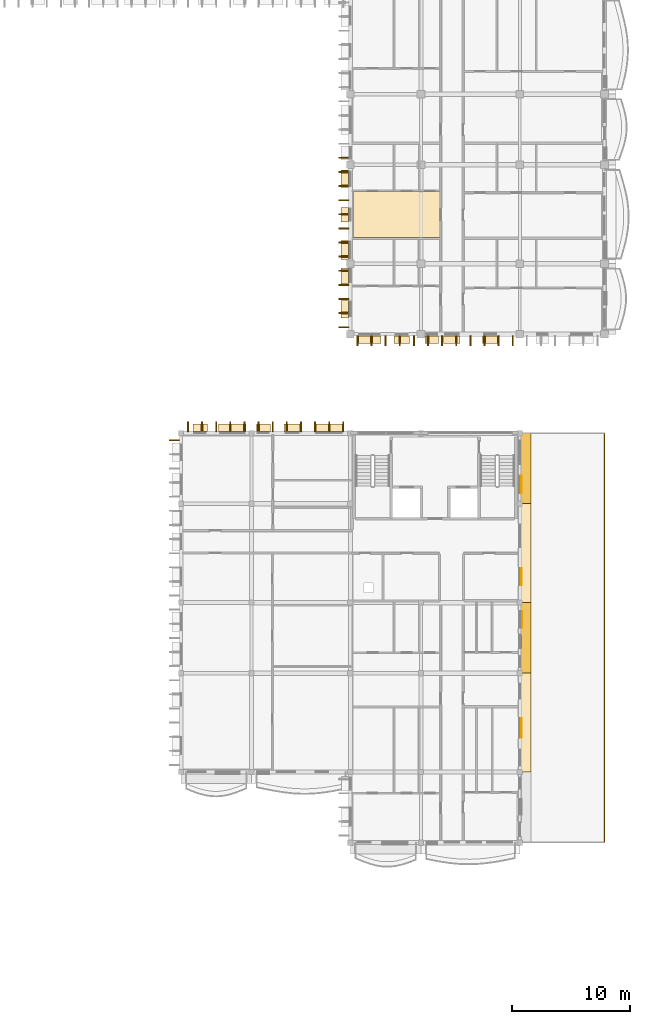
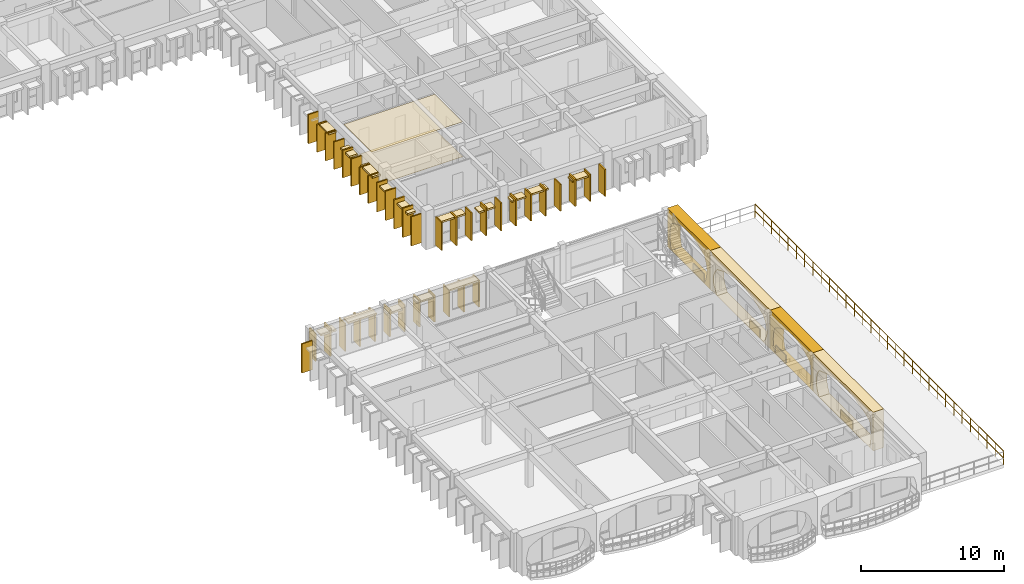
# One storey, part 60 of 66: 63 coverings, 1 railing.
"""IFC4 building model written with IfcOpenShell, lengths in metres."""

from ifc_helpers import new_model, si_unit, direction, frame, origin, origin_2d, place, context, subcontext, project, spatial, polyline, rectangle, outline, extrude, material, layer, layer_set, type_object, element, save


model = new_model("IFC4")

# Units and contexts
model_context = context("Model", 3, precision=1e-05, world=origin(), true_north=direction((0.0, 1.0)))
body_context = subcontext(model_context, "Body", "Model", "MODEL_VIEW")
ifc_project = project(units=[si_unit("LENGTHUNIT", "METRE"), si_unit("AREAUNIT", "SQUARE_METRE"), si_unit("VOLUMEUNIT", "CUBIC_METRE"), si_unit("PLANEANGLEUNIT", "RADIAN"), si_unit("MASSUNIT", "GRAM", prefix="KILO"), si_unit("THERMODYNAMICTEMPERATUREUNIT", "KELVIN")], contexts=[model_context])

# Site, building, storey
site_placement = place(None, origin())
site = spatial("IfcSite", under=ifc_project, at=site_placement, CompositionType="ELEMENT")
building_placement = place(site_placement, origin())
building = spatial("IfcBuilding", under=site, at=building_placement, Name="Thalorik Housing Commons", CompositionType="ELEMENT")
storey_placement = place(building_placement, frame((0.0, 0.0, 21.300048828125)))
storey = spatial("IfcBuildingStorey", under=building, at=storey_placement, Name="L06", CompositionType="ELEMENT", Elevation=21.300048828125)

# Coverings
ifc_material_1 = material(Name="Cobalt blue glazed ceramic facade tile panel", Category="masonry")
ifc_layer_1 = layer(ifc_material_1, 0.06005859375, Name="Cobalt blue glazed ceramic facade tile panel", Category="masonry")
ifc_layer_set_1 = layer_set([ifc_layer_1], Name="Cobalt blue glazed ceramic facade tile panel")
covering_type_1 = type_object("IfcCoveringType", Name="ARC-CLD-BLU-60", PredefinedType="CLADDING", material=ifc_layer_set_1)
covering_1_placement = place(storey_placement, frame((166.95751953125, 46.945068359375, 0.0498046875), z_axis=(0.0, 0.0, 1.0), x_axis=(0.0, 1.0, 0.0)))
element("IfcCovering", 1, at=covering_1_placement, inside=storey, type_object=covering_type_1, Name="L06 De Stijl Recessed Window Spandrel 4979", PredefinedType="CLADDING", context=body_context, shape_type="SweptSolid", body=[
    extrude(rectangle(XDim=1.679931640625, YDim=0.06005859375, at=origin_2d()), origin(), (0.0, 0.0, 1.0), 0.699951171875),
])
covering_2_placement = place(storey_placement, frame((166.95751953125, 67.6298828125, 0.0498046875), z_axis=(0.0, 0.0, 1.0), x_axis=(0.0, 1.0, 0.0)))
element("IfcCovering", 2, at=covering_2_placement, inside=storey, type_object=covering_type_1, Name="L06 De Stijl Recessed Window Spandrel 4985", PredefinedType="CLADDING", context=body_context, shape_type="SweptSolid", body=[
    extrude(rectangle(XDim=1.5, YDim=0.06005859375, at=origin_2d()), origin(), (0.0, 0.0, 1.0), 0.699951171875),
])
ifc_material_2 = material(Name="Precast concrete C40/50", Category="concrete")
ifc_layer_2 = layer(ifc_material_2, 0.85009765625, Name="Precast concrete C40/50", Category="concrete")
ifc_layer_set_2 = layer_set([ifc_layer_2], Name="Precast concrete C40/50")
covering_type_2 = type_object("IfcCoveringType", Name="ARC-CLD-CUSH-850", PredefinedType="CLADDING", material=ifc_layer_set_2)
covering_3_placement = place(storey_placement, frame((167.347412109375, 47.39990234375, 0.0), z_axis=(0.0, 0.0, 1.0), x_axis=(0.0, 1.0, 0.0)))
element("IfcCovering", 3, at=covering_3_placement, inside=storey, type_object=covering_type_2, Name="L06 White Precast Curved Cushion Bay Frame 4978", PredefinedType="CLADDING", context=body_context, shape_type="SweptSolid", body=[
    extrude(outline(polyline([(-4.199951171875, 0.0), (4.199951171875, 0.0), (4.199951171875, 3.300048828125), (-4.199951171875, 3.300048828125), (-4.199951171875, 0.0)]), holes=[polyline([(3.3701171875, 0.02490234375), (3.5810546875, 0.40087890625), (3.707763671875, 0.776611328125), (3.75, 1.152587890625), (3.707763671875, 1.5283203125), (3.5810546875, 1.904296875), (3.3701171875, 2.280029296875), (2.780029296875, 2.51123046875), (2.18994140625, 2.693115234375), (1.60009765625, 2.840087890625), (1.010009765625, 2.94970703125), (0.419921875, 3.01708984375), (-0.169921875, 3.0400390625), (-0.760009765625, 3.01708984375), (-1.35009765625, 2.94970703125), (-1.93994140625, 2.840087890625), (-2.530029296875, 2.693115234375), (-3.1201171875, 2.51123046875), (-3.7099609375, 2.280029296875), (-3.8134765625, 1.904296875), (-3.87548828125, 1.5283203125), (-3.896240234375, 1.152587890625), (-3.87548828125, 0.776611328125), (-3.8134765625, 0.40087890625), (-3.7099609375, 0.02490234375), (3.3701171875, 0.02490234375)])]), frame((0.0, 0.425048828125, 0.0), z_axis=(0.0, -1.0, 0.0), x_axis=(1.0, 0.0, 0.0)), (0.0, 0.0, 1.0), 0.85009765625),
])
covering_4_placement = place(storey_placement, frame((167.347412109375, 54.60009765625, 0.0), z_axis=(0.0, 0.0, 1.0), x_axis=(0.0, 1.0, 0.0)))
element("IfcCovering", 4, at=covering_4_placement, inside=storey, type_object=covering_type_2, Name="L06 White Precast Curved Cushion Bay Frame 4980", PredefinedType="CLADDING", context=body_context, shape_type="SweptSolid", body=[
    extrude(outline(polyline([(-3.0, 0.0), (3.0, 0.0), (3.0, 3.300048828125), (-3.0, 3.300048828125), (-3.0, 0.0)]), holes=[polyline([(2.327392578125, 0.02490234375), (2.469482421875, 0.387451171875), (2.5546875, 0.75), (2.5830078125, 1.112548828125), (2.5546875, 1.47509765625), (2.469482421875, 1.83740234375), (2.327392578125, 2.199951171875), (1.920654296875, 2.455810546875), (1.51416015625, 2.656494140625), (1.107421875, 2.819091796875), (0.70068359375, 2.940185546875), (0.294189453125, 3.014892578125), (-0.112548828125, 3.0400390625), (-0.519287109375, 3.014892578125), (-0.92578125, 2.940185546875), (-1.33251953125, 2.819091796875), (-1.7392578125, 2.656494140625), (-2.14599609375, 2.455810546875), (-2.552490234375, 2.199951171875), (-2.647216796875, 1.83740234375), (-2.70361328125, 1.47509765625), (-2.72265625, 1.112548828125), (-2.70361328125, 0.75), (-2.647216796875, 0.387451171875), (-2.552490234375, 0.02490234375), (2.327392578125, 0.02490234375)])]), frame((0.0, 0.425048828125, 0.0), z_axis=(0.0, -1.0, 0.0), x_axis=(1.0, 0.0, 0.0)), (0.0, 0.0, 1.0), 0.85009765625),
])
covering_5_placement = place(storey_placement, frame((167.347412109375, 61.800048828125, 0.0), z_axis=(0.0, 0.0, 1.0), x_axis=(0.0, 1.0, 0.0)))
element("IfcCovering", 5, at=covering_5_placement, inside=storey, type_object=covering_type_2, Name="L06 White Precast Curved Cushion Bay Frame 4982", PredefinedType="CLADDING", context=body_context, shape_type="SweptSolid", body=[
    extrude(outline(polyline([(-4.199951171875, 0.0), (4.199951171875, 0.0), (4.199951171875, 3.300048828125), (-4.199951171875, 3.300048828125), (-4.199951171875, 0.0)]), holes=[polyline([(3.239990234375, 0.02490234375), (3.523193359375, 0.3974609375), (3.693359375, 0.77001953125), (3.75, 1.142578125), (3.693359375, 1.514892578125), (3.523193359375, 1.887451171875), (3.239990234375, 2.260009765625), (2.699951171875, 2.497314453125), (2.159912109375, 2.683837890625), (1.6201171875, 2.8349609375), (1.080078125, 2.947265625), (0.5400390625, 3.0166015625), (0.0, 3.0400390625), (-0.5400390625, 3.0166015625), (-1.080078125, 2.947265625), (-1.6201171875, 2.8349609375), (-2.159912109375, 2.683837890625), (-2.699951171875, 2.497314453125), (-3.239990234375, 2.260009765625), (-3.523193359375, 1.887451171875), (-3.693359375, 1.514892578125), (-3.75, 1.142578125), (-3.693359375, 0.77001953125), (-3.523193359375, 0.3974609375), (-3.239990234375, 0.02490234375), (3.239990234375, 0.02490234375)])]), frame((0.0, 0.425048828125, 0.0), z_axis=(0.0, -1.0, 0.0), x_axis=(1.0, 0.0, 0.0)), (0.0, 0.0, 1.0), 0.85009765625),
])
covering_6_placement = place(storey_placement, frame((167.347412109375, 69.0, 0.0), z_axis=(0.0, 0.0, 1.0), x_axis=(0.0, 1.0, 0.0)))
element("IfcCovering", 6, at=covering_6_placement, inside=storey, type_object=covering_type_2, Name="L06 White Precast Curved Cushion Bay Frame 4984", PredefinedType="CLADDING", context=body_context, shape_type="SweptSolid", body=[
    extrude(outline(polyline([(-3.0, 0.0), (3.0, 0.0), (3.0, 3.300048828125), (-3.0, 3.300048828125), (-3.0, 0.0)]), holes=[polyline([(2.419921875, 0.02490234375), (2.54248046875, 0.407470703125), (2.615966796875, 0.7900390625), (2.640380859375, 1.172607421875), (2.615966796875, 1.554931640625), (2.54248046875, 1.9375), (2.419921875, 2.320068359375), (2.03759765625, 2.539306640625), (1.655029296875, 2.711181640625), (1.2724609375, 2.8505859375), (0.889892578125, 2.954345703125), (0.507568359375, 3.018310546875), (0.125, 3.0400390625), (-0.257568359375, 3.018310546875), (-0.639892578125, 2.954345703125), (-1.0224609375, 2.8505859375), (-1.405029296875, 2.711181640625), (-1.78759765625, 2.539306640625), (-2.169921875, 2.320068359375), (-2.381103515625, 1.9375), (-2.5078125, 1.554931640625), (-2.550048828125, 1.172607421875), (-2.5078125, 0.7900390625), (-2.381103515625, 0.407470703125), (-2.169921875, 0.02490234375), (2.419921875, 0.02490234375)])]), frame((0.0, 0.425048828125, 0.0), z_axis=(0.0, -1.0, 0.0), x_axis=(1.0, 0.0, 0.0)), (0.0, 0.0, 1.0), 0.85009765625),
])
ifc_layer_3 = layer(ifc_material_2, 0.85009765625, Name="Precast concrete C40/50", Category="concrete")
ifc_layer_set_3 = layer_set([ifc_layer_3], Name="Precast concrete C40/50")
covering_type_3 = type_object("IfcCoveringType", Name="ARC-CLD-FIN-850", PredefinedType="CLADDING", material=ifc_layer_set_3)
covering_7_placement = place(storey_placement, frame((151.83740234375, 95.39990234375, 0.039794921875), z_axis=(0.0, 0.0, 1.0), x_axis=(0.0, -1.0, 0.0)))
element("IfcCovering", 7, at=covering_7_placement, inside=storey, type_object=covering_type_3, Name="L06 Courtyard Precast Vertical Brise-Soleil Fin 2502", PredefinedType="CLADDING", context=body_context, shape_type="SweptSolid", body=[
    extrude(rectangle(XDim=0.110107421875, YDim=0.85009765625, at=origin_2d()), origin(), (0.0, 0.0, 1.0), 2.4951171875),
])
for number, where, z_axis, x_axis, name in (
    (8, (151.83740234375, 94.199951171875, 0.0400390625), (0.0, 0.0, 1.0), (0.0, -1.0, 0.0), "L06 Courtyard Precast Vertical Brise-Soleil Fin 2505"),
    (9, (151.83740234375, 93.0, 0.0400390625), (0.0, 0.0, 1.0), (0.0, -1.0, 0.0), "L06 Courtyard Precast Vertical Brise-Soleil Fin 2506"),
    (10, (151.83740234375, 91.800048828125, 0.0400390625), (0.0, 0.0, 1.0), (0.0, -1.0, 0.0), "L06 Courtyard Precast Vertical Brise-Soleil Fin 2507"),
    (11, (151.83740234375, 90.60009765625, 0.0400390625), (0.0, 0.0, 1.0), (0.0, -1.0, 0.0), "L06 Courtyard Precast Vertical Brise-Soleil Fin 2508"),
    (12, (151.83740234375, 89.39990234375, 0.0400390625), (0.0, 0.0, 1.0), (0.0, -1.0, 0.0), "L06 Courtyard Precast Vertical Brise-Soleil Fin 2509"),
    (13, (151.83740234375, 88.199951171875, 0.0400390625), (0.0, 0.0, 1.0), (0.0, -1.0, 0.0), "L06 Courtyard Precast Vertical Brise-Soleil Fin 2510"),
    (14, (151.83740234375, 87.0, 0.0400390625), (0.0, 0.0, 1.0), (0.0, -1.0, 0.0), "L06 Courtyard Precast Vertical Brise-Soleil Fin 2511"),
):
    element("IfcCovering", number, at=place(storey_placement, frame(where, z_axis=z_axis, x_axis=x_axis)), inside=storey, type_object=covering_type_3, Name=name, PredefinedType="CLADDING", context=body_context, shape_type="SweptSolid", body=[
        extrude(rectangle(XDim=0.110107421875, YDim=0.85009765625, at=origin_2d()), origin(), (0.0, 0.0, 1.0), 2.344970703125),
    ])
for number, where, z_axis, x_axis, name in (
    (15, (151.83740234375, 85.800048828125, 0.039794921875), (0.0, 0.0, 1.0), (0.0, -1.0, 0.0), "L06 Courtyard Precast Vertical Brise-Soleil Fin 2515"),
    (16, (151.83740234375, 84.60009765625, 0.039794921875), (0.0, 0.0, 1.0), (0.0, -1.0, 0.0), "L06 Courtyard Precast Vertical Brise-Soleil Fin 2516"),
    (17, (151.83740234375, 83.39990234375, 0.039794921875), (0.0, 0.0, 1.0), (0.0, -1.0, 0.0), "L06 Courtyard Precast Vertical Brise-Soleil Fin 2517"),
    (18, (151.83740234375, 82.199951171875, 0.039794921875), (0.0, 0.0, 1.0), (0.0, -1.0, 0.0), "L06 Courtyard Precast Vertical Brise-Soleil Fin 2518"),
    (19, (151.83740234375, 81.0, 0.039794921875), (0.0, 0.0, 1.0), (0.0, -1.0, 0.0), "L06 Courtyard Precast Vertical Brise-Soleil Fin 2519"),
):
    element("IfcCovering", number, at=place(storey_placement, frame(where, z_axis=z_axis, x_axis=x_axis)), inside=storey, type_object=covering_type_3, Name=name, PredefinedType="CLADDING", context=body_context, shape_type="SweptSolid", body=[
        extrude(rectangle(XDim=0.110107421875, YDim=0.85009765625, at=origin_2d()), origin(), (0.0, 0.0, 1.0), 2.4951171875),
    ])
for number, where, z_axis, x_axis, name in (
    (20, (153.0, 79.83740234375, 0.0400390625), (0.0, 0.0, 1.0), (1.0, 0.0, 0.0), "L06 Courtyard Precast Vertical Brise-Soleil Fin 2522"),
    (21, (154.199951171875, 79.83740234375, 0.0400390625), (0.0, 0.0, 1.0), (1.0, 0.0, 0.0), "L06 Courtyard Precast Vertical Brise-Soleil Fin 2523"),
    (22, (155.39990234375, 79.83740234375, 0.0400390625), (0.0, 0.0, 1.0), (1.0, 0.0, 0.0), "L06 Courtyard Precast Vertical Brise-Soleil Fin 2524"),
    (23, (156.60009765625, 79.83740234375, 0.0400390625), (0.0, 0.0, 1.0), (1.0, 0.0, 0.0), "L06 Courtyard Precast Vertical Brise-Soleil Fin 2525"),
    (24, (157.800048828125, 79.83740234375, 0.0400390625), (0.0, 0.0, 1.0), (1.0, 0.0, 0.0), "L06 Courtyard Precast Vertical Brise-Soleil Fin 2526"),
):
    element("IfcCovering", number, at=place(storey_placement, frame(where, z_axis=z_axis, x_axis=x_axis)), inside=storey, type_object=covering_type_3, Name=name, PredefinedType="CLADDING", context=body_context, shape_type="SweptSolid", body=[
        extrude(rectangle(XDim=0.110107421875, YDim=0.85009765625, at=origin_2d()), origin(), (0.0, 0.0, 1.0), 2.39501953125),
    ])
for number, where, z_axis, x_axis, name in (
    (25, (159.0, 79.83740234375, 0.0400390625), (0.0, 0.0, 1.0), (1.0, 0.0, 0.0), "L06 Courtyard Precast Vertical Brise-Soleil Fin 2529"),
    (26, (160.199951171875, 79.83740234375, 0.0400390625), (0.0, 0.0, 1.0), (1.0, 0.0, 0.0), "L06 Courtyard Precast Vertical Brise-Soleil Fin 2530"),
    (27, (161.39990234375, 79.83740234375, 0.0400390625), (0.0, 0.0, 1.0), (1.0, 0.0, 0.0), "L06 Courtyard Precast Vertical Brise-Soleil Fin 2531"),
    (28, (162.60009765625, 79.83740234375, 0.0400390625), (0.0, 0.0, 1.0), (1.0, 0.0, 0.0), "L06 Courtyard Precast Vertical Brise-Soleil Fin 2532"),
    (29, (163.800048828125, 79.83740234375, 0.0400390625), (0.0, 0.0, 1.0), (1.0, 0.0, 0.0), "L06 Courtyard Precast Vertical Brise-Soleil Fin 2533"),
    (30, (165.0, 79.83740234375, 0.0400390625), (0.0, 0.0, 1.0), (1.0, 0.0, 0.0), "L06 Courtyard Precast Vertical Brise-Soleil Fin 2534"),
    (31, (166.199951171875, 79.83740234375, 0.0400390625), (0.0, 0.0, 1.0), (1.0, 0.0, 0.0), "L06 Courtyard Precast Vertical Brise-Soleil Fin 2535"),
    (32, (151.800048828125, 72.547607421875, 0.0400390625), (0.0, 0.0, 1.0), (-1.0, 0.0, 0.0), "L06 Courtyard Precast Vertical Brise-Soleil Fin 4911"),
    (33, (150.60009765625, 72.547607421875, 0.0400390625), (0.0, 0.0, 1.0), (-1.0, 0.0, 0.0), "L06 Courtyard Precast Vertical Brise-Soleil Fin 4912"),
    (34, (149.39990234375, 72.547607421875, 0.0400390625), (0.0, 0.0, 1.0), (-1.0, 0.0, 0.0), "L06 Courtyard Precast Vertical Brise-Soleil Fin 4913"),
    (35, (148.199951171875, 72.547607421875, 0.0400390625), (0.0, 0.0, 1.0), (-1.0, 0.0, 0.0), "L06 Courtyard Precast Vertical Brise-Soleil Fin 4914"),
    (36, (147.0, 72.547607421875, 0.0400390625), (0.0, 0.0, 1.0), (-1.0, 0.0, 0.0), "L06 Courtyard Precast Vertical Brise-Soleil Fin 4915"),
    (37, (145.800048828125, 72.547607421875, 0.0400390625), (0.0, 0.0, 1.0), (-1.0, 0.0, 0.0), "L06 Courtyard Precast Vertical Brise-Soleil Fin 4916"),
    (38, (144.60009765625, 72.547607421875, 0.0400390625), (0.0, 0.0, 1.0), (-1.0, 0.0, 0.0), "L06 Courtyard Precast Vertical Brise-Soleil Fin 4917"),
):
    element("IfcCovering", number, at=place(storey_placement, frame(where, z_axis=z_axis, x_axis=x_axis)), inside=storey, type_object=covering_type_3, Name=name, PredefinedType="CLADDING", context=body_context, shape_type="SweptSolid", body=[
        extrude(rectangle(XDim=0.110107421875, YDim=0.85009765625, at=origin_2d()), origin(), (0.0, 0.0, 1.0), 2.294921875),
    ])
for number, where, z_axis, x_axis, name in (
    (39, (143.39990234375, 72.547607421875, 0.0400390625), (0.0, 0.0, 1.0), (-1.0, 0.0, 0.0), "L06 Courtyard Precast Vertical Brise-Soleil Fin 4921"),
    (40, (142.199951171875, 72.547607421875, 0.0400390625), (0.0, 0.0, 1.0), (-1.0, 0.0, 0.0), "L06 Courtyard Precast Vertical Brise-Soleil Fin 4922"),
    (41, (141.0, 72.547607421875, 0.0400390625), (0.0, 0.0, 1.0), (-1.0, 0.0, 0.0), "L06 Courtyard Precast Vertical Brise-Soleil Fin 4923"),
    (42, (139.800048828125, 72.547607421875, 0.0400390625), (0.0, 0.0, 1.0), (-1.0, 0.0, 0.0), "L06 Courtyard Precast Vertical Brise-Soleil Fin 4924"),
    (43, (138.60009765625, 72.547607421875, 0.0400390625), (0.0, 0.0, 1.0), (-1.0, 0.0, 0.0), "L06 Courtyard Precast Vertical Brise-Soleil Fin 4925"),
):
    element("IfcCovering", number, at=place(storey_placement, frame(where, z_axis=z_axis, x_axis=x_axis)), inside=storey, type_object=covering_type_3, Name=name, PredefinedType="CLADDING", context=body_context, shape_type="SweptSolid", body=[
        extrude(rectangle(XDim=0.110107421875, YDim=0.85009765625, at=origin_2d()), origin(), (0.0, 0.0, 1.0), 2.39501953125),
    ])
covering_8_placement = place(storey_placement, frame((137.452392578125, 71.39990234375, 0.039794921875), z_axis=(0.0, 0.0, 1.0), x_axis=(0.0, -1.0, 0.0)))
element("IfcCovering", 44, at=covering_8_placement, inside=storey, type_object=covering_type_3, Name="L06 Courtyard Precast Vertical Brise-Soleil Fin 4928", PredefinedType="CLADDING", context=body_context, shape_type="SweptSolid", body=[
    extrude(rectangle(XDim=0.110107421875, YDim=0.85009765625, at=origin_2d()), origin(), (0.0, 0.0, 1.0), 2.4951171875),
])
ifc_layer_4 = layer(ifc_material_2, 0.64990234375, Name="Precast concrete C40/50", Category="concrete")
ifc_layer_set_4 = layer_set([ifc_layer_4], Name="Precast concrete C40/50")
covering_type_4 = type_object("IfcCoveringType", Name="ARC-CLD-HOOD-650", PredefinedType="CLADDING", material=ifc_layer_set_4)
covering_9_placement = place(storey_placement, frame((151.9375, 93.60009765625, 2.240234375), z_axis=(0.0, 0.0, 1.0), x_axis=(0.0, -1.0, 0.0)))
element("IfcCovering", 45, at=covering_9_placement, inside=storey, type_object=covering_type_4, Name="L06 Courtyard Precast Window Sun-Hood 2512", PredefinedType="CLADDING", context=body_context, shape_type="SweptSolid", body=[
    extrude(rectangle(XDim=1.489990234375, YDim=0.64990234375, at=origin_2d()), origin(), (0.0, 0.0, 1.0), 0.139892578125),
])
covering_10_placement = place(storey_placement, frame((151.9375, 90.570068359375, 2.0400390625), z_axis=(0.0, 0.0, 1.0), x_axis=(0.0, -1.0, 0.0)))
element("IfcCovering", 46, at=covering_10_placement, inside=storey, type_object=covering_type_4, Name="L06 Courtyard Precast Window Sun-Hood 2513", PredefinedType="CLADDING", context=body_context, shape_type="SweptSolid", body=[
    extrude(rectangle(XDim=1.239990234375, YDim=0.64990234375, at=origin_2d()), origin(), (0.0, 0.0, 1.0), 0.139892578125),
])
covering_11_placement = place(storey_placement, frame((151.9375, 87.570068359375, 2.240234375), z_axis=(0.0, 0.0, 1.0), x_axis=(0.0, -1.0, 0.0)))
element("IfcCovering", 47, at=covering_11_placement, inside=storey, type_object=covering_type_4, Name="L06 Courtyard Precast Window Sun-Hood 2514", PredefinedType="CLADDING", context=body_context, shape_type="SweptSolid", body=[
    extrude(rectangle(XDim=1.639892578125, YDim=0.64990234375, at=origin_2d()), origin(), (0.0, 0.0, 1.0), 0.139892578125),
])
covering_12_placement = place(storey_placement, frame((151.9375, 85.357421875, 2.08984375), z_axis=(0.0, 0.0, 1.0), x_axis=(0.0, -1.0, 0.0)))
element("IfcCovering", 48, at=covering_12_placement, inside=storey, type_object=covering_type_4, Name="L06 Courtyard Precast Window Sun-Hood 2520", PredefinedType="CLADDING", context=body_context, shape_type="SweptSolid", body=[
    extrude(rectangle(XDim=1.340087890625, YDim=0.64990234375, at=origin_2d()), origin(), (0.0, 0.0, 1.0), 0.139892578125),
])
covering_13_placement = place(storey_placement, frame((151.9375, 82.547607421875, 2.08984375), z_axis=(0.0, 0.0, 1.0), x_axis=(0.0, -1.0, 0.0)))
element("IfcCovering", 49, at=covering_13_placement, inside=storey, type_object=covering_type_4, Name="L06 Courtyard Precast Window Sun-Hood 2521", PredefinedType="CLADDING", context=body_context, shape_type="SweptSolid", body=[
    extrude(rectangle(XDim=1.489990234375, YDim=0.64990234375, at=origin_2d()), origin(), (0.0, 0.0, 1.0), 0.139892578125),
])
covering_14_placement = place(storey_placement, frame((154.030029296875, 79.9375, 2.240234375), z_axis=(0.0, 0.0, 1.0), x_axis=(1.0, 0.0, 0.0)))
element("IfcCovering", 50, at=covering_14_placement, inside=storey, type_object=covering_type_4, Name="L06 Courtyard Precast Window Sun-Hood 2527", PredefinedType="CLADDING", context=body_context, shape_type="SweptSolid", body=[
    extrude(rectangle(XDim=1.989990234375, YDim=0.64990234375, at=origin_2d()), origin(), (0.0, 0.0, 1.0), 0.139892578125),
])
covering_15_placement = place(storey_placement, frame((156.77001953125, 79.9375, 1.990234375), z_axis=(0.0, 0.0, 1.0), x_axis=(1.0, 0.0, 0.0)))
element("IfcCovering", 51, at=covering_15_placement, inside=storey, type_object=covering_type_4, Name="L06 Courtyard Precast Window Sun-Hood 2528", PredefinedType="CLADDING", context=body_context, shape_type="SweptSolid", body=[
    extrude(rectangle(XDim=1.2900390625, YDim=0.64990234375, at=origin_2d()), origin(), (0.0, 0.0, 1.0), 0.139892578125),
])
covering_16_placement = place(storey_placement, frame((159.3349609375, 79.9375, 1.990234375), z_axis=(0.0, 0.0, 1.0), x_axis=(1.0, 0.0, 0.0)))
element("IfcCovering", 52, at=covering_16_placement, inside=storey, type_object=covering_type_4, Name="L06 Courtyard Precast Window Sun-Hood 2536", PredefinedType="CLADDING", context=body_context, shape_type="SweptSolid", body=[
    extrude(rectangle(XDim=1.139892578125, YDim=0.64990234375, at=origin_2d()), origin(), (0.0, 0.0, 1.0), 0.139892578125),
])
covering_17_placement = place(storey_placement, frame((161.030029296875, 79.9375, 2.0400390625), z_axis=(0.0, 0.0, 1.0), x_axis=(1.0, 0.0, 0.0)))
element("IfcCovering", 53, at=covering_17_placement, inside=storey, type_object=covering_type_4, Name="L06 Courtyard Precast Window Sun-Hood 2537", PredefinedType="CLADDING", context=body_context, shape_type="SweptSolid", body=[
    extrude(rectangle(XDim=1.389892578125, YDim=0.64990234375, at=origin_2d()), origin(), (0.0, 0.0, 1.0), 0.139892578125),
])
covering_18_placement = place(storey_placement, frame((164.294921875, 79.9375, 1.990234375), z_axis=(0.0, 0.0, 1.0), x_axis=(1.0, 0.0, 0.0)))
element("IfcCovering", 54, at=covering_18_placement, inside=storey, type_object=covering_type_4, Name="L06 Courtyard Precast Window Sun-Hood 2538", PredefinedType="CLADDING", context=body_context, shape_type="SweptSolid", body=[
    extrude(rectangle(XDim=1.2900390625, YDim=0.64990234375, at=origin_2d()), origin(), (0.0, 0.0, 1.0), 0.139892578125),
])
covering_19_placement = place(storey_placement, frame((150.5751953125, 72.447509765625, 2.22509765625), z_axis=(0.0, 0.0, 1.0), x_axis=(-1.0, 0.0, 0.0)))
element("IfcCovering", 55, at=covering_19_placement, inside=storey, type_object=covering_type_4, Name="L06 Courtyard Precast Window Sun-Hood 4918", PredefinedType="CLADDING", context=body_context, shape_type="SweptSolid", body=[
    extrude(rectangle(XDim=2.419921875, YDim=0.64990234375, at=origin_2d()), origin(), (0.0, 0.0, 1.0), 0.139892578125),
])
covering_20_placement = place(storey_placement, frame((147.4453125, 72.447509765625, 2.08984375), z_axis=(0.0, 0.0, 1.0), x_axis=(-1.0, 0.0, 0.0)))
element("IfcCovering", 56, at=covering_20_placement, inside=storey, type_object=covering_type_4, Name="L06 Courtyard Precast Window Sun-Hood 4919", PredefinedType="CLADDING", context=body_context, shape_type="SweptSolid", body=[
    extrude(rectangle(XDim=1.340087890625, YDim=0.64990234375, at=origin_2d()), origin(), (0.0, 0.0, 1.0), 0.139892578125),
])
covering_21_placement = place(storey_placement, frame((145.000244140625, 72.447509765625, 1.93994140625), z_axis=(0.0, 0.0, 1.0), x_axis=(-1.0, 0.0, 0.0)))
element("IfcCovering", 57, at=covering_21_placement, inside=storey, type_object=covering_type_4, Name="L06 Courtyard Precast Window Sun-Hood 4920", PredefinedType="CLADDING", context=body_context, shape_type="SweptSolid", body=[
    extrude(rectangle(XDim=1.18994140625, YDim=0.64990234375, at=origin_2d()), origin(), (0.0, 0.0, 1.0), 0.139892578125),
])
covering_22_placement = place(storey_placement, frame((142.3701171875, 72.447509765625, 2.31005859375), z_axis=(0.0, 0.0, 1.0), x_axis=(-1.0, 0.0, 0.0)))
element("IfcCovering", 58, at=covering_22_placement, inside=storey, type_object=covering_type_4, Name="L06 Courtyard Precast Window Sun-Hood 4926", PredefinedType="CLADDING", context=body_context, shape_type="SweptSolid", body=[
    extrude(rectangle(XDim=2.320068359375, YDim=0.64990234375, at=origin_2d()), origin(), (0.0, 0.0, 1.0), 0.139892578125),
])
covering_23_placement = place(storey_placement, frame((139.6298828125, 72.447509765625, 2.0400390625), z_axis=(0.0, 0.0, 1.0), x_axis=(-1.0, 0.0, 0.0)))
element("IfcCovering", 59, at=covering_23_placement, inside=storey, type_object=covering_type_4, Name="L06 Courtyard Precast Window Sun-Hood 4927", PredefinedType="CLADDING", context=body_context, shape_type="SweptSolid", body=[
    extrude(rectangle(XDim=1.239990234375, YDim=0.64990234375, at=origin_2d()), origin(), (0.0, 0.0, 1.0), 0.139892578125),
])
ifc_material_3 = material(Name="Terracotta red mineral fibre-cement panel", Category="masonry")
ifc_layer_5 = layer(ifc_material_3, 0.054931640625, Name="Terracotta red mineral fibre-cement panel", Category="masonry")
ifc_layer_set_5 = layer_set([ifc_layer_5], Name="Terracotta red mineral fibre-cement panel")
covering_type_5 = type_object("IfcCoveringType", Name="ARC-CLD-RED-55", PredefinedType="CLADDING", material=ifc_layer_set_5)
covering_24_placement = place(storey_placement, frame((166.955078125, 59.794921875, 0.0498046875), z_axis=(0.0, 0.0, 1.0), x_axis=(0.0, 1.0, 0.0)))
element("IfcCovering", 60, at=covering_24_placement, inside=storey, type_object=covering_type_5, Name="L06 De Stijl Recessed Window Spandrel 4983", PredefinedType="CLADDING", context=body_context, shape_type="SweptSolid", body=[
    extrude(rectangle(XDim=1.419921875, YDim=0.054931640625, at=origin_2d()), origin(), (0.0, 0.0, 1.0), 0.699951171875),
])
ifc_material_4 = material(Name="Mineral ochre architectural terracotta panel", Category="masonry")
ifc_layer_6 = layer(ifc_material_4, 0.06494140625, Name="Mineral ochre architectural terracotta panel", Category="masonry")
ifc_layer_set_6 = layer_set([ifc_layer_6], Name="Mineral ochre architectural terracotta panel")
covering_type_6 = type_object("IfcCoveringType", Name="ARC-CLD-YEL-65", PredefinedType="CLADDING", material=ifc_layer_set_6)
covering_25_placement = place(storey_placement, frame((166.9599609375, 56.16748046875, 0.0498046875), z_axis=(0.0, 0.0, 1.0), x_axis=(0.0, 1.0, 0.0)))
element("IfcCovering", 61, at=covering_25_placement, inside=storey, type_object=covering_type_6, Name="L06 De Stijl Recessed Window Spandrel 4981", PredefinedType="CLADDING", context=body_context, shape_type="SweptSolid", body=[
    extrude(rectangle(XDim=1.419921875, YDim=0.06494140625, at=origin_2d()), origin(), (0.0, 0.0, 1.0), 0.699951171875),
])
ifc_material_5 = material(Name="Slatted timber acoustic hall baffle ceiling", Category="wood")
ifc_layer_7 = layer(ifc_material_5, 0.02197265625, Name="Slatted timber acoustic hall baffle ceiling", Category="wood")
ifc_layer_set_7 = layer_set([ifc_layer_7], Name="Slatted timber acoustic hall baffle ceiling")
covering_type_7 = type_object("IfcCoveringType", Name="ARC-COV-CEIL-03", PredefinedType="CEILING", material=ifc_layer_set_7)
covering_26_placement = place(storey_placement, frame((0.0, 0.0, 2.97802734375)))
element("IfcCovering", 62, at=covering_26_placement, inside=storey, type_object=covering_type_7, Name="L06 Living Dining Room Suspended Ceiling", PredefinedType="CEILING", context=body_context, shape_type="SweptSolid", body=[
    extrude(outline(polyline([(160.0, 92.52001953125), (152.639892578125, 92.52001953125), (152.639892578125, 88.6298828125), (160.0, 88.6298828125), (160.0, 92.52001953125)])), origin(), (0.0, 0.0, 1.0), 0.02197265625),
])
ifc_material_6 = material(Name="Cushioned natural linoleum nursery playroom flooring")
ifc_layer_8 = layer(ifc_material_6, 0.02001953125, Name="Cushioned natural linoleum nursery playroom flooring")
ifc_layer_set_8 = layer_set([ifc_layer_8], Name="Cushioned natural linoleum nursery playroom flooring")
covering_type_8 = type_object("IfcCoveringType", Name="ARC-COV-FLR-03", PredefinedType="FLOORING", material=ifc_layer_set_8)
covering_27_placement = place(storey_placement, origin())
element("IfcCovering", 63, at=covering_27_placement, inside=storey, type_object=covering_type_8, Name="L06 Living Dining Room Flooring", PredefinedType="FLOORING", context=body_context, shape_type="SweptSolid", body=[
    extrude(outline(polyline([(160.0, 92.52001953125), (152.639892578125, 92.52001953125), (152.639892578125, 88.6298828125), (160.0, 88.6298828125), (160.0, 92.52001953125)])), origin(), (0.0, 0.0, 1.0), 0.02001953125),
])

# Railing
ifc_material_7 = material(Name="Steel S355", Category="steel")
railing_type = type_object("IfcRailingType", Name="ARC-RL-TER-118", PredefinedType="GUARDRAIL", material=ifc_material_7)
railing_placement = place(storey_placement, frame((174.0, 37.199951171875, 0.0)))
element("IfcRailing", 64, at=railing_placement, inside=storey, type_object=railing_type, Name="L06 L06 East Roof Terrace Edge Guardrail", PredefinedType="GUARDRAIL", context=body_context, shape_type="SweptSolid", body=[
    extrude(rectangle(XDim=0.048095703125, YDim=0.048095703125, at=origin_2d()), frame((0.0, 0.0, 1.15576171875), z_axis=(0.0, 1.0, 0.0), x_axis=(-1.0, 0.0, 0.0)), (0.0, 0.0, 1.0), 34.800048828125),
    extrude(rectangle(XDim=0.048095703125, YDim=0.048095703125, at=origin_2d()), frame((0.0, 0.0, 0.56591796875), z_axis=(0.0, 1.0, 0.0), x_axis=(-1.0, 0.0, 0.0)), (0.0, 0.0, 1.0), 34.800048828125),
    extrude(rectangle(XDim=0.0419921875, YDim=0.0419921875, at=origin_2d()), origin(), (0.0, 0.0, 1.0), 1.1318359375),
    extrude(rectangle(XDim=0.0419921875, YDim=0.0419921875, at=origin_2d()), frame((0.0, 1.159912109375, 0.0)), (0.0, 0.0, 1.0), 1.1318359375),
    extrude(rectangle(XDim=0.0419921875, YDim=0.0419921875, at=origin_2d()), frame((0.0, 2.320068359375, 0.0)), (0.0, 0.0, 1.0), 1.1318359375),
    extrude(rectangle(XDim=0.0419921875, YDim=0.0419921875, at=origin_2d()), frame((0.0, 3.47998046875, 0.0)), (0.0, 0.0, 1.0), 1.1318359375),
    extrude(rectangle(XDim=0.0419921875, YDim=0.0419921875, at=origin_2d()), frame((0.0, 4.639892578125, 0.0)), (0.0, 0.0, 1.0), 1.1318359375),
    extrude(rectangle(XDim=0.0419921875, YDim=0.0419921875, at=origin_2d()), frame((0.0, 5.800048828125, 0.0)), (0.0, 0.0, 1.0), 1.1318359375),
    extrude(rectangle(XDim=0.0419921875, YDim=0.0419921875, at=origin_2d()), frame((0.0, 6.9599609375, 0.0)), (0.0, 0.0, 1.0), 1.1318359375),
    extrude(rectangle(XDim=0.0419921875, YDim=0.0419921875, at=origin_2d()), frame((0.0, 8.1201171875, 0.0)), (0.0, 0.0, 1.0), 1.1318359375),
    extrude(rectangle(XDim=0.0419921875, YDim=0.0419921875, at=origin_2d()), frame((0.0, 9.280029296875, 0.0)), (0.0, 0.0, 1.0), 1.1318359375),
    extrude(rectangle(XDim=0.0419921875, YDim=0.0419921875, at=origin_2d()), frame((0.0, 10.43994140625, 0.0)), (0.0, 0.0, 1.0), 1.1318359375),
    extrude(rectangle(XDim=0.0419921875, YDim=0.0419921875, at=origin_2d()), frame((0.0, 11.60009765625, 0.0)), (0.0, 0.0, 1.0), 1.1318359375),
    extrude(rectangle(XDim=0.0419921875, YDim=0.0419921875, at=origin_2d()), frame((0.0, 12.760009765625, 0.0)), (0.0, 0.0, 1.0), 1.1318359375),
    extrude(rectangle(XDim=0.0419921875, YDim=0.0419921875, at=origin_2d()), frame((0.0, 13.919921875, 0.0)), (0.0, 0.0, 1.0), 1.1318359375),
    extrude(rectangle(XDim=0.0419921875, YDim=0.0419921875, at=origin_2d()), frame((0.0, 15.080078125, 0.0)), (0.0, 0.0, 1.0), 1.1318359375),
    extrude(rectangle(XDim=0.0419921875, YDim=0.0419921875, at=origin_2d()), frame((0.0, 16.239990234375, 0.0)), (0.0, 0.0, 1.0), 1.1318359375),
    extrude(rectangle(XDim=0.0419921875, YDim=0.0419921875, at=origin_2d()), frame((0.0, 17.39990234375, 0.0)), (0.0, 0.0, 1.0), 1.1318359375),
    extrude(rectangle(XDim=0.0419921875, YDim=0.0419921875, at=origin_2d()), frame((0.0, 18.56005859375, 0.0)), (0.0, 0.0, 1.0), 1.1318359375),
    extrude(rectangle(XDim=0.0419921875, YDim=0.0419921875, at=origin_2d()), frame((0.0, 19.719970703125, 0.0)), (0.0, 0.0, 1.0), 1.1318359375),
    extrude(rectangle(XDim=0.0419921875, YDim=0.0419921875, at=origin_2d()), frame((0.0, 20.880126953125, 0.0)), (0.0, 0.0, 1.0), 1.1318359375),
    extrude(rectangle(XDim=0.0419921875, YDim=0.0419921875, at=origin_2d()), frame((0.0, 22.0400390625, 0.0)), (0.0, 0.0, 1.0), 1.1318359375),
    extrude(rectangle(XDim=0.0419921875, YDim=0.0419921875, at=origin_2d()), frame((0.0, 23.199951171875, 0.0)), (0.0, 0.0, 1.0), 1.1318359375),
    extrude(rectangle(XDim=0.0419921875, YDim=0.0419921875, at=origin_2d()), frame((0.0, 24.360107421875, 0.0)), (0.0, 0.0, 1.0), 1.1318359375),
    extrude(rectangle(XDim=0.0419921875, YDim=0.0419921875, at=origin_2d()), frame((0.0, 25.52001953125, 0.0)), (0.0, 0.0, 1.0), 1.1318359375),
    extrude(rectangle(XDim=0.0419921875, YDim=0.0419921875, at=origin_2d()), frame((0.0, 26.679931640625, 0.0)), (0.0, 0.0, 1.0), 1.1318359375),
    extrude(rectangle(XDim=0.0419921875, YDim=0.0419921875, at=origin_2d()), frame((0.0, 27.840087890625, 0.0)), (0.0, 0.0, 1.0), 1.1318359375),
    extrude(rectangle(XDim=0.0419921875, YDim=0.0419921875, at=origin_2d()), frame((0.0, 29.0, 0.0)), (0.0, 0.0, 1.0), 1.1318359375),
    extrude(rectangle(XDim=0.0419921875, YDim=0.0419921875, at=origin_2d()), frame((0.0, 30.16015625, 0.0)), (0.0, 0.0, 1.0), 1.1318359375),
    extrude(rectangle(XDim=0.0419921875, YDim=0.0419921875, at=origin_2d()), frame((0.0, 31.320068359375, 0.0)), (0.0, 0.0, 1.0), 1.1318359375),
    extrude(rectangle(XDim=0.0419921875, YDim=0.0419921875, at=origin_2d()), frame((0.0, 32.47998046875, 0.0)), (0.0, 0.0, 1.0), 1.1318359375),
    extrude(rectangle(XDim=0.0419921875, YDim=0.0419921875, at=origin_2d()), frame((0.0, 33.64013671875, 0.0)), (0.0, 0.0, 1.0), 1.1318359375),
    extrude(rectangle(XDim=0.0419921875, YDim=0.0419921875, at=origin_2d()), frame((0.0, 34.800048828125, 0.0)), (0.0, 0.0, 1.0), 1.1318359375),
])

save(model, "model.ifc")
